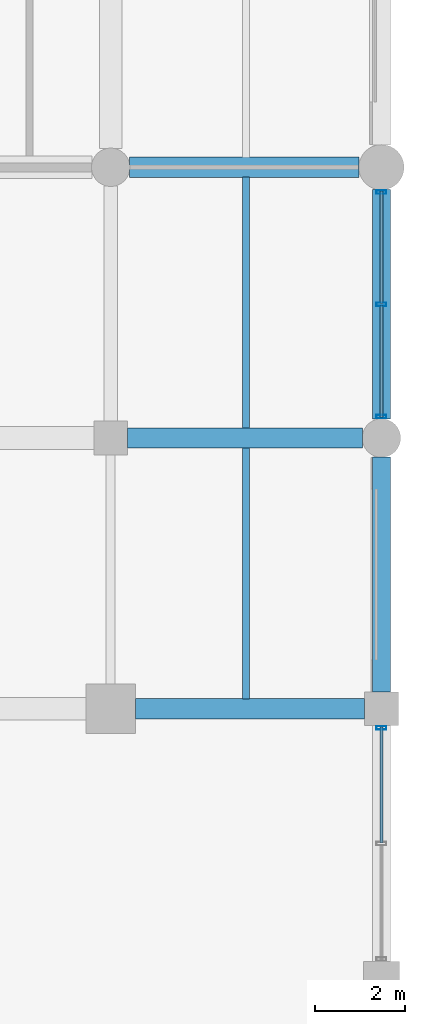
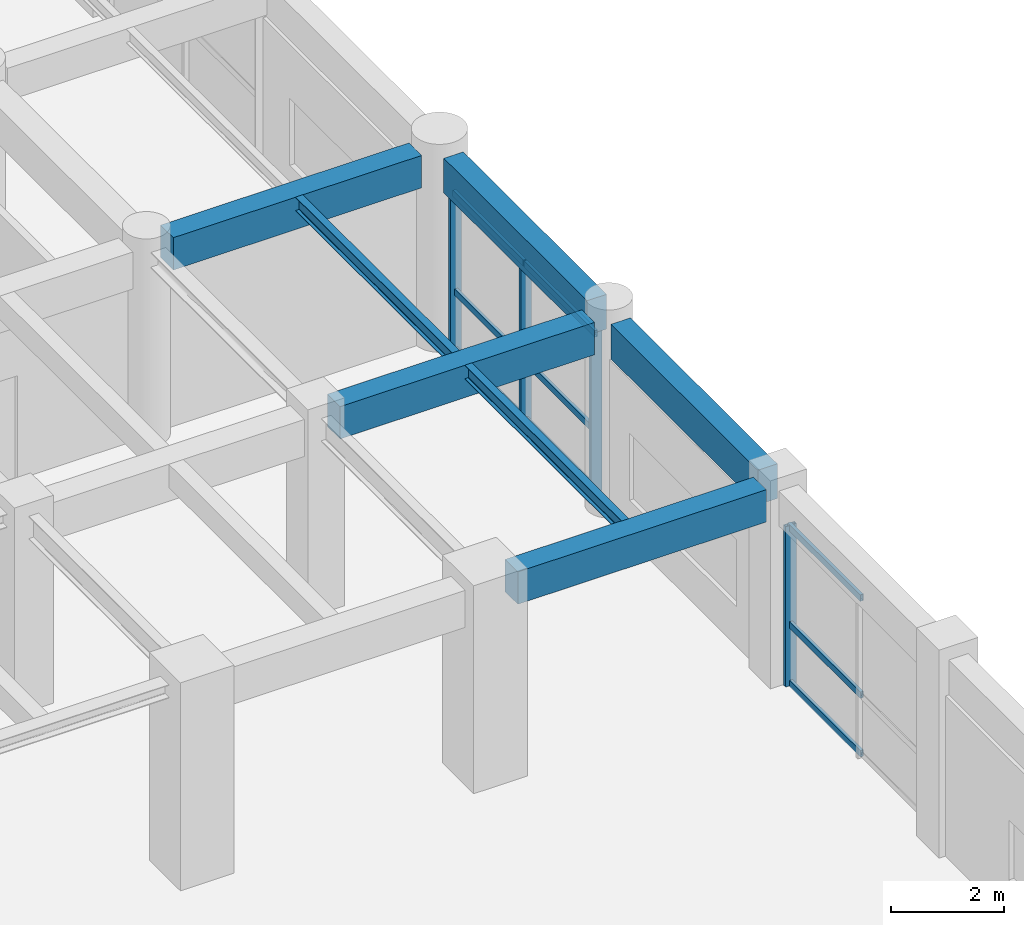
# One storey, part 74 of 133: 13 members, 7 beams, 2 elements without a shape of their own.
"""IFC4 building model written with IfcOpenShell, lengths in metres."""

from ifc_helpers import new_model, si_unit, direction, frame, origin, origin_2d, place, context, subcontext, project, spatial, rectangle, hollow_rectangle, i_section, extrude, material, material_profile, profile_set, type_object, element, aggregate, save


model = new_model("IFC4")

# Units and contexts
model_context = context("Model", 3, precision=1e-05, world=origin(), true_north=direction((0.0, 1.0)))
body_context = subcontext(model_context, "Body", "Model", "MODEL_VIEW")
ifc_project = project(units=[si_unit("LENGTHUNIT", "METRE"), si_unit("AREAUNIT", "SQUARE_METRE"), si_unit("VOLUMEUNIT", "CUBIC_METRE"), si_unit("PLANEANGLEUNIT", "RADIAN"), si_unit("MASSUNIT", "GRAM", prefix="KILO"), si_unit("THERMODYNAMICTEMPERATUREUNIT", "KELVIN"), si_unit("POWERUNIT", "WATT")], contexts=[model_context])

# Site, building, storey
site_placement = place(None, origin())
site = spatial("IfcSite", under=ifc_project, at=site_placement, CompositionType="ELEMENT")
building_placement = place(site_placement, origin())
building = spatial("IfcBuilding", under=site, at=building_placement, Name="Phaisarnlok Congress Hotel", CompositionType="ELEMENT")
storey_placement = place(building_placement, frame((0.0, 0.0, 6.0)))
storey = spatial("IfcBuildingStorey", under=building, at=storey_placement, Name="L01", CompositionType="ELEMENT", Elevation=6.0)

# Beams
ifc_material_1 = material(Name="Concrete C40/50", Category="concrete")
ifc_material_profile_1 = material_profile(ifc_material_1, rectangle(XDim=0.449951171875, YDim=0.699951171875, at=origin_2d()), Name="RC 450x700")
ifc_profile_set_1 = profile_set([ifc_material_profile_1], Name="Concrete C40/50")
beam_type_1 = type_object("IfcBeamType", Name="BM-RC-450x700", PredefinedType="BEAM", material=ifc_profile_set_1)
beam_1_placement = place(storey_placement, frame((174.544921875, 66.0, 3.8701171875), z_axis=(1.0, 0.0, 0.0), x_axis=(0.0, 1.0, 0.0)))
element("IfcBeam", 1, at=beam_1_placement, inside=storey, type_object=beam_type_1, Name="Beam B-03", PredefinedType="BEAM", context=body_context, shape_type="SweptSolid", body=[
    extrude(rectangle(XDim=0.449951171875, YDim=0.699951171875, at=origin_2d()), origin(), (0.0, 0.0, 1.0), 5.0849609375),
])
beam_2_placement = place(storey_placement, frame((174.3701171875, 72.0, 3.8701171875), z_axis=(1.0, 0.0, 0.0), x_axis=(0.0, 1.0, 0.0)))
element("IfcBeam", 2, at=beam_2_placement, inside=storey, type_object=beam_type_1, Name="Beam B-03", PredefinedType="BEAM", context=body_context, shape_type="SweptSolid", body=[
    extrude(rectangle(XDim=0.449951171875, YDim=0.699951171875, at=origin_2d()), origin(), (0.0, 0.0, 1.0), 5.2099609375),
])
beam_3_placement = place(storey_placement, frame((174.419921875, 78.0, 3.8701171875), z_axis=(1.0, 0.0, 0.0), x_axis=(0.0, 1.0, 0.0)))
element("IfcBeam", 3, at=beam_3_placement, inside=storey, type_object=beam_type_1, Name="Beam B-03", PredefinedType="BEAM", context=body_context, shape_type="SweptSolid", body=[
    extrude(rectangle(XDim=0.449951171875, YDim=0.699951171875, at=origin_2d()), origin(), (0.0, 0.0, 1.0), 5.0849609375),
])

# Curtain wall, member
ifc_material_2 = material(Name="Thermally Broken Unitised Aluminium & Low-E Glazing", Category="aluminium")
curtain_wall_type_1 = type_object("IfcCurtainWallType", Name="CW-UNIT-15", PredefinedType="NOTDEFINED", material=ifc_material_2)
curtain_wall_1_placement = place(storey_placement, origin())
curtain_wall_1 = element("IfcCurtainWall", 4, at=curtain_wall_1_placement, inside=storey, type_object=curtain_wall_type_1, Name="Unitised curtain wall CW-15 (L01)", PredefinedType="NOTDEFINED")
ifc_material_3 = material(Name="Anodised Aluminium Alloy 6063-T6", Category="aluminium")
ifc_material_profile_2 = material_profile(ifc_material_3, hollow_rectangle(XDim=0.074951171875, YDim=0.219970703125, WallThickness=0.0048828125, at=origin_2d()), Name="ALU-M 75x220x5")
ifc_profile_set_2 = profile_set([ifc_material_profile_2], Name="Anodised Aluminium Alloy 6063-T6")
member_type_1 = type_object("IfcMemberType", Name="CWM-220", PredefinedType="MULLION", material=ifc_profile_set_2)
member_1_placement = place(storey_placement, frame((180.0, 65.574951171875, 0.0), z_axis=(0.0, 0.0, 1.0), x_axis=(0.0, 1.0, 0.0)))
member_1 = element("IfcMember", 5, at=member_1_placement, type_object=member_type_1, Name="Curtain wall mullion CWM-02", PredefinedType="MULLION", context=body_context, shape_type="SweptSolid", body=[
    extrude(hollow_rectangle(XDim=0.074951171875, YDim=0.219970703125, WallThickness=0.0048828125, at=origin_2d()), origin(), (0.0, 0.0, 1.0), 3.469970703125),
])

# Curtain wall, members
curtain_wall_type_2 = type_object("IfcCurtainWallType", Name="CW-UNIT-12", PredefinedType="NOTDEFINED", material=ifc_material_2)
curtain_wall_2_placement = place(storey_placement, origin())
curtain_wall_2 = element("IfcCurtainWall", 6, at=curtain_wall_2_placement, inside=storey, type_object=curtain_wall_type_2, Name="Unitised curtain wall CW-12 (L01)", PredefinedType="NOTDEFINED")
member_2_placement = place(storey_placement, frame((180.0, 72.47509765625, 0.0), z_axis=(0.0, 0.0, 1.0), x_axis=(0.0, 1.0, 0.0)))
member_2 = element("IfcMember", 7, at=member_2_placement, type_object=member_type_1, Name="Curtain wall mullion CWM-02", PredefinedType="MULLION", context=body_context, shape_type="SweptSolid", body=[
    extrude(hollow_rectangle(XDim=0.074951171875, YDim=0.219970703125, WallThickness=0.0048828125, at=origin_2d()), origin(), (0.0, 0.0, 1.0), 3.469970703125),
])
member_3_placement = place(storey_placement, frame((180.0, 74.96240234375, 0.0), z_axis=(0.0, 0.0, 1.0), x_axis=(0.0, 1.0, 0.0)))
member_3 = element("IfcMember", 8, at=member_3_placement, type_object=member_type_1, Name="Curtain wall mullion CWM-02", PredefinedType="MULLION", context=body_context, shape_type="SweptSolid", body=[
    extrude(hollow_rectangle(XDim=0.074951171875, YDim=0.219970703125, WallThickness=0.0048828125, at=origin_2d()), origin(), (0.0, 0.0, 1.0), 3.469970703125),
])
member_4_placement = place(storey_placement, frame((180.0, 77.449951171875, 0.0), z_axis=(0.0, 0.0, 1.0), x_axis=(0.0, 1.0, 0.0)))
member_4 = element("IfcMember", 9, at=member_4_placement, type_object=member_type_1, Name="Curtain wall mullion CWM-02", PredefinedType="MULLION", context=body_context, shape_type="SweptSolid", body=[
    extrude(hollow_rectangle(XDim=0.074951171875, YDim=0.219970703125, WallThickness=0.0048828125, at=origin_2d()), origin(), (0.0, 0.0, 1.0), 3.469970703125),
])

# Member
ifc_material_profile_3 = material_profile(ifc_material_3, hollow_rectangle(XDim=0.06494140625, YDim=0.139892578125, WallThickness=0.00390625, at=origin_2d()), Name="ALU-T 65x140x4")
ifc_profile_set_3 = profile_set([ifc_material_profile_3], Name="Anodised Aluminium Alloy 6063-T6")
member_type_2 = type_object("IfcMemberType", Name="CWT-150", PredefinedType="USERDEFINED", material=ifc_profile_set_3)
member_5_placement = place(storey_placement, frame((180.0, 63.027587890625, 0.050048828125), z_axis=(0.0, 1.0, 0.0), x_axis=(-1.0, 0.0, 0.0)))
member_5 = element("IfcMember", 10, at=member_5_placement, type_object=member_type_2, Name="Curtain wall transom CWT-01", ObjectType="TRANSOM", PredefinedType="USERDEFINED", context=body_context, shape_type="SweptSolid", body=[
    extrude(hollow_rectangle(XDim=0.06494140625, YDim=0.139892578125, WallThickness=0.00390625, at=origin_2d()), origin(), (0.0, 0.0, 1.0), 2.572509765625),
])

member_6_placement = place(storey_placement, frame((180.0, 63.027587890625, 1.318603515625), z_axis=(0.0, 1.0, 0.0), x_axis=(-1.0, 0.0, 0.0)))
member_6 = element("IfcMember", 11, at=member_6_placement, type_object=member_type_2, Name="Curtain wall transom CWT-01", ObjectType="TRANSOM", PredefinedType="USERDEFINED", context=body_context, shape_type="SweptSolid", body=[
    extrude(hollow_rectangle(XDim=0.06494140625, YDim=0.139892578125, WallThickness=0.00390625, at=origin_2d()), origin(), (0.0, 0.0, 1.0), 2.572509765625),
])

member_7_placement = place(storey_placement, frame((180.0, 63.027587890625, 3.419921875), z_axis=(0.0, 1.0, 0.0), x_axis=(-1.0, 0.0, 0.0)))
member_7 = element("IfcMember", 12, at=member_7_placement, type_object=member_type_2, Name="Curtain wall transom CWT-01", ObjectType="TRANSOM", PredefinedType="USERDEFINED", context=body_context, shape_type="SweptSolid", body=[
    extrude(hollow_rectangle(XDim=0.06494140625, YDim=0.139892578125, WallThickness=0.00390625, at=origin_2d()), origin(), (0.0, 0.0, 1.0), 2.572509765625),
])

aggregate(curtain_wall_1, [member_1, member_5, member_6, member_7])

member_8_placement = place(storey_placement, frame((180.0, 72.449951171875, 0.050048828125), z_axis=(0.0, 1.0, 0.0), x_axis=(-1.0, 0.0, 0.0)))
member_8 = element("IfcMember", 13, at=member_8_placement, type_object=member_type_2, Name="Curtain wall transom CWT-01", ObjectType="TRANSOM", PredefinedType="USERDEFINED", context=body_context, shape_type="SweptSolid", body=[
    extrude(hollow_rectangle(XDim=0.06494140625, YDim=0.139892578125, WallThickness=0.00390625, at=origin_2d()), origin(), (0.0, 0.0, 1.0), 2.49755859375),
])

member_9_placement = place(storey_placement, frame((180.0, 72.449951171875, 1.318603515625), z_axis=(0.0, 1.0, 0.0), x_axis=(-1.0, 0.0, 0.0)))
member_9 = element("IfcMember", 14, at=member_9_placement, type_object=member_type_2, Name="Curtain wall transom CWT-01", ObjectType="TRANSOM", PredefinedType="USERDEFINED", context=body_context, shape_type="SweptSolid", body=[
    extrude(hollow_rectangle(XDim=0.06494140625, YDim=0.139892578125, WallThickness=0.00390625, at=origin_2d()), origin(), (0.0, 0.0, 1.0), 2.49755859375),
])

member_10_placement = place(storey_placement, frame((180.0, 72.449951171875, 3.419921875), z_axis=(0.0, 1.0, 0.0), x_axis=(-1.0, 0.0, 0.0)))
member_10 = element("IfcMember", 15, at=member_10_placement, type_object=member_type_2, Name="Curtain wall transom CWT-01", ObjectType="TRANSOM", PredefinedType="USERDEFINED", context=body_context, shape_type="SweptSolid", body=[
    extrude(hollow_rectangle(XDim=0.06494140625, YDim=0.139892578125, WallThickness=0.00390625, at=origin_2d()), origin(), (0.0, 0.0, 1.0), 2.49755859375),
])

member_11_placement = place(storey_placement, frame((180.0, 74.9775390625, 0.050048828125), z_axis=(0.0, 1.0, 0.0), x_axis=(-1.0, 0.0, 0.0)))
member_11 = element("IfcMember", 16, at=member_11_placement, type_object=member_type_2, Name="Curtain wall transom CWT-01", ObjectType="TRANSOM", PredefinedType="USERDEFINED", context=body_context, shape_type="SweptSolid", body=[
    extrude(hollow_rectangle(XDim=0.06494140625, YDim=0.139892578125, WallThickness=0.00390625, at=origin_2d()), origin(), (0.0, 0.0, 1.0), 2.49755859375),
])

member_12_placement = place(storey_placement, frame((180.0, 74.9775390625, 1.318603515625), z_axis=(0.0, 1.0, 0.0), x_axis=(-1.0, 0.0, 0.0)))
member_12 = element("IfcMember", 17, at=member_12_placement, type_object=member_type_2, Name="Curtain wall transom CWT-01", ObjectType="TRANSOM", PredefinedType="USERDEFINED", context=body_context, shape_type="SweptSolid", body=[
    extrude(hollow_rectangle(XDim=0.06494140625, YDim=0.139892578125, WallThickness=0.00390625, at=origin_2d()), origin(), (0.0, 0.0, 1.0), 2.49755859375),
])

member_13_placement = place(storey_placement, frame((180.0, 74.9775390625, 3.419921875), z_axis=(0.0, 1.0, 0.0), x_axis=(-1.0, 0.0, 0.0)))
member_13 = element("IfcMember", 18, at=member_13_placement, type_object=member_type_2, Name="Curtain wall transom CWT-01", ObjectType="TRANSOM", PredefinedType="USERDEFINED", context=body_context, shape_type="SweptSolid", body=[
    extrude(hollow_rectangle(XDim=0.06494140625, YDim=0.139892578125, WallThickness=0.00390625, at=origin_2d()), origin(), (0.0, 0.0, 1.0), 2.49755859375),
])

aggregate(curtain_wall_2, [member_2, member_3, member_4, member_8, member_9, member_10, member_11, member_12, member_13])

# Beams
ifc_material_4 = material(Name="Steel S355", Category="steel")
ifc_material_profile_4 = material_profile(ifc_material_4, i_section(OverallWidth=0.14990234375, OverallDepth=0.300048828125, WebThickness=0.007080078125, FlangeThickness=0.0107421875, FilletRadius=0.014892578125, at=origin_2d()), Name="IPE 300")
ifc_profile_set_4 = profile_set([ifc_material_profile_4], Name="Steel S355")
beam_type_2 = type_object("IfcBeamType", Name="JS-STL-IPE300", PredefinedType="JOIST", material=ifc_profile_set_4)
for number, where, z_axis, x_axis, name in (
    (19, (177.0, 66.219970703125, 4.070068359375), (0.0, 1.0, 0.0), (-1.0, 0.0, 0.0), "Secondary floor joist J-03"),
    (20, (177.0, 72.219970703125, 4.070068359375), (0.0, 1.0, 0.0), (-1.0, 0.0, 0.0), "Secondary floor joist J-03"),
):
    element("IfcBeam", number, at=place(storey_placement, frame(where, z_axis=z_axis, x_axis=x_axis)), inside=storey, type_object=beam_type_2, Name=name, PredefinedType="JOIST", context=body_context, shape_type="SweptSolid", body=[
        extrude(i_section(OverallWidth=0.14990234375, OverallDepth=0.300048828125, WebThickness=0.007080078125, FlangeThickness=0.0107421875, FilletRadius=0.014892578125, at=origin_2d()), origin(), (0.0, 0.0, 1.0), 5.56005859375),
    ])
ifc_material_profile_5 = material_profile(ifc_material_1, rectangle(XDim=0.39990234375, YDim=0.75, at=origin_2d()), Name="RC 400x750")
ifc_profile_set_5 = profile_set([ifc_material_profile_5], Name="Concrete C40/50")
beam_type_3 = type_object("IfcBeamType", Name="SP-RC-400x750", PredefinedType="SPANDREL", material=ifc_profile_set_5)
beam_4_placement = place(storey_placement, frame((180.0, 66.3701171875, 3.844970703125), z_axis=(0.0, 1.0, 0.0), x_axis=(-1.0, 0.0, 0.0)))
element("IfcBeam", 21, at=beam_4_placement, inside=storey, type_object=beam_type_3, Name="Beam SP-02", PredefinedType="SPANDREL", context=body_context, shape_type="SweptSolid", body=[
    extrude(rectangle(XDim=0.39990234375, YDim=0.75, at=origin_2d()), origin(), (0.0, 0.0, 1.0), 5.2099609375),
])
beam_5_placement = place(storey_placement, frame((180.0, 72.419921875, 3.844970703125), z_axis=(0.0, 1.0, 0.0), x_axis=(-1.0, 0.0, 0.0)))
element("IfcBeam", 22, at=beam_5_placement, inside=storey, type_object=beam_type_3, Name="Beam SP-02", PredefinedType="SPANDREL", context=body_context, shape_type="SweptSolid", body=[
    extrude(rectangle(XDim=0.39990234375, YDim=0.75, at=origin_2d()), origin(), (0.0, 0.0, 1.0), 5.0849609375),
])

save(model, "model.ifc")
